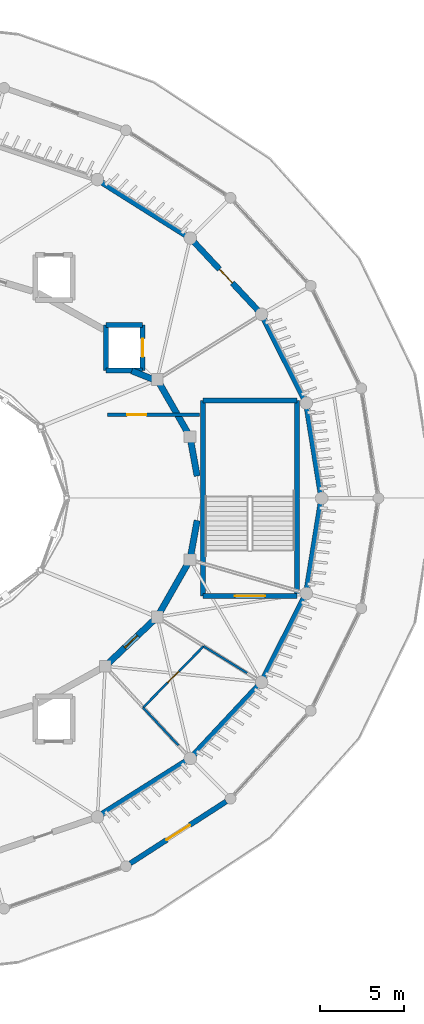
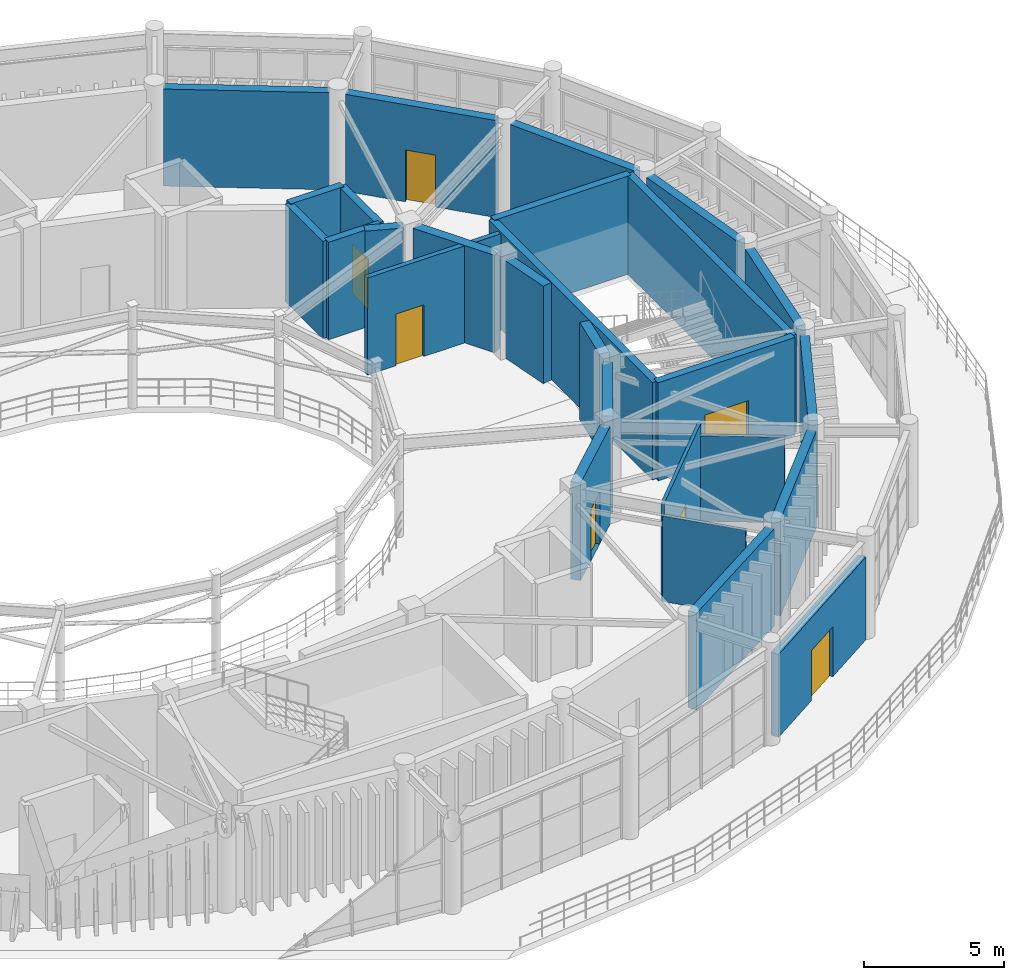
# One storey, part 28 of 45: 27 walls, 7 doors, 7 openings.
"""IFC4 building model written with IfcOpenShell, lengths in metres."""

from ifc_helpers import new_model, si_unit, direction, frame, frame_2d, origin, place, context, subcontext, project, spatial, rectangle, extrude, material, layer, layer_set, type_object, element, fill, save


model = new_model("IFC4")

# Units and contexts
model_context = context("Model", 3, precision=1e-05, world=origin(), true_north=direction((0.0, 1.0)))
body_context = subcontext(model_context, "Body", "Model", "MODEL_VIEW")
ifc_project = project(units=[si_unit("LENGTHUNIT", "METRE"), si_unit("AREAUNIT", "SQUARE_METRE"), si_unit("VOLUMEUNIT", "CUBIC_METRE"), si_unit("PLANEANGLEUNIT", "RADIAN"), si_unit("MASSUNIT", "GRAM", prefix="KILO")], contexts=[model_context])

# Site, building, storey
site_placement = place(None, origin())
site = spatial("IfcSite", under=ifc_project, at=site_placement, CompositionType="ELEMENT")
building_placement = place(site_placement, origin())
building = spatial("IfcBuilding", under=site, at=building_placement, Name="Cinderbank Siding Concert Hall", CompositionType="ELEMENT")
storey_placement = place(building_placement, frame((0.0, 0.0, 19.199951171875)))
storey = spatial("IfcBuildingStorey", under=building, at=storey_placement, Name="L05", CompositionType="ELEMENT", Elevation=19.199951171875)

# Walls
ifc_material_1 = material(Name="Reinforced concrete AS 3600 N50 (50 MPa)", Category="concrete")
ifc_layer_1 = layer(ifc_material_1, 0.3798828125)
ifc_layer_set_1 = layer_set([ifc_layer_1], Name="Reinforced concrete AS 3600 N50 (50 MPa)")
wall_type_1 = type_object("IfcWallType", Name="WL-01 Structural Wall 380mm", PredefinedType="SOLIDWALL", material=ifc_layer_set_1)
wall_1_placement = place(storey_placement, frame((141.358642578125, 45.328125, 0.0), z_axis=(0.0, 0.0, 1.0), x_axis=(-0.178762697271, 0.983892218723, 0.0)))
element("IfcWall", 1, at=wall_1_placement, inside=storey, type_object=wall_type_1, Name="L05 Structural Wall SW-E1-L05-01", PredefinedType="SOLIDWALL", context=body_context, shape_type="SweptSolid", body=[
    extrude(rectangle(XDim=2.1005859375, YDim=0.3798828125, at=frame_2d((1.05029296875, 0.0))), origin(), (0.0, 0.0, 1.0), 4.25),
])
wall_2_placement = place(storey_placement, frame((140.79052734375, 47.922607421875, 0.0), z_axis=(0.0, 0.0, 1.0), x_axis=(-0.496318106012, 0.868140736082, 0.0)))
element("IfcWall", 2, at=wall_2_placement, inside=storey, type_object=wall_type_1, Name="L05 Structural Wall SW-E1-L05-02", PredefinedType="SOLIDWALL", context=body_context, shape_type="SweptSolid", body=[
    extrude(rectangle(XDim=3.375, YDim=0.3798828125, at=frame_2d((1.6875, 0.0))), origin(), (0.0, 0.0, 1.0), 4.25),
])
wall_3_placement = place(storey_placement, frame((138.75, 51.10009765625, 0.0), z_axis=(0.0, 0.0, 1.0), x_axis=(-0.928476690885, 0.371390676354, 0.0)))
element("IfcWall", 3, at=wall_3_placement, inside=storey, type_object=wall_type_1, Name="L05 Structural Wall SW-E1-L05-03", PredefinedType="SOLIDWALL", context=body_context, shape_type="SweptSolid", body=[
    extrude(rectangle(XDim=1.400146484375, YDim=0.3798828125, at=frame_2d((0.7001953125, 0.0))), origin(), (0.0, 0.0, 1.0), 4.25),
])

# Wall, opening, door
wall_4_placement = place(storey_placement, frame((136.06640625, 34.15478515625, 0.0), z_axis=(0.0, 0.0, 1.0), x_axis=(0.727127996206, 0.686501913423, 0.0)))
wall_4 = element("IfcWall", 4, at=wall_4_placement, inside=storey, type_object=wall_type_1, Name="L05 Structural Wall SW-E1-L05-22", PredefinedType="SOLIDWALL", context=body_context, shape_type="SweptSolid", body=[
    extrude(rectangle(XDim=3.7138671875, YDim=0.3798828125, at=frame_2d((1.85693359375, 0.0))), origin(), (0.0, 0.0, 1.0), 4.25),
])
opening_1_placement = place(wall_4_placement, frame((1.326904296875, 0.0, 0.0)))
opening_1 = element("IfcOpeningElement", 5, at=opening_1_placement, cuts=wall_4, Name="Opening D-18", PredefinedType="OPENING", context=body_context, shape_type="SweptSolid", body=[
    extrude(rectangle(XDim=1.06005859375, YDim=2.239990234375, at=frame_2d((0.530029296875, 1.1201171875))), frame((0.0, 0.201904296875, 0.0), z_axis=(0.0, -1.0, 0.0), x_axis=(1.0, 0.0, 0.0)), (0.0, 0.0, 1.0), 0.40380859375),
])
ifc_material_2 = material(Name="Solid-core spotted gum acoustic timber", Category="wood")
door_type_1 = type_object("IfcDoorType", Name="D-18 Interior Door 1060x2240", OperationType="NOTDEFINED", PredefinedType="DOOR", material=ifc_material_2)
door_1_placement = place(opening_1_placement, origin())
door_1 = element("IfcDoor", 6, at=door_1_placement, inside=storey, type_object=door_type_1, Name="L05 Auditorium Sound-Lock Door L05-D178", OperationType="SINGLE_SWING_LEFT", OverallHeight=2.239990234375, OverallWidth=1.06005859375, PredefinedType="DOOR", context=body_context, shape_type="SweptSolid", body=[
    extrude(rectangle(XDim=1.06005859375, YDim=2.239990234375, at=frame_2d((0.530029296875, 1.1201171875))), frame((0.0, 0.02490234375, 0.0), z_axis=(0.0, -1.0, 0.0), x_axis=(1.0, 0.0, 0.0)), (0.0, 0.0, 1.0), 0.050048828125),
])
fill(opening_1, door_1)

# Walls
wall_5_placement = place(storey_placement, frame((139.115478515625, 37.1474609375, 0.0), z_axis=(0.0, 0.0, 1.0), x_axis=(0.496318106012, 0.868140736082, 0.0)))
element("IfcWall", 7, at=wall_5_placement, inside=storey, type_object=wall_type_1, Name="L05 Structural Wall SW-E1-L05-23", PredefinedType="SOLIDWALL", context=body_context, shape_type="SweptSolid", body=[
    extrude(rectangle(XDim=3.375, YDim=0.3798828125, at=frame_2d((1.6875, 0.0))), origin(), (0.0, 0.0, 1.0), 4.25),
])
wall_6_placement = place(storey_placement, frame((140.983154296875, 40.605224609375, 0.0), z_axis=(0.0, 0.0, 1.0), x_axis=(0.178762697271, 0.983892218723, 0.0)))
element("IfcWall", 8, at=wall_6_placement, inside=storey, type_object=wall_type_1, Name="L05 Structural Wall SW-E1-L05-24", PredefinedType="SOLIDWALL", context=body_context, shape_type="SweptSolid", body=[
    extrude(rectangle(XDim=2.1005859375, YDim=0.3798828125, at=frame_2d((1.05029296875, 0.0))), origin(), (0.0, 0.0, 1.0), 4.25),
])
ifc_layer_2 = layer(ifc_material_1, 0.35009765625)
ifc_layer_set_2 = layer_set([ifc_layer_2], Name="Reinforced concrete AS 3600 N50 (50 MPa)")
wall_type_2 = type_object("IfcWallType", Name="WL-02 Structural Wall 350mm", PredefinedType="SHEAR", material=ifc_layer_set_2)
wall_7_placement = place(storey_placement, frame((148.7509765625, 44.30615234375, 0.0), z_axis=(0.0, 0.0, 1.0), x_axis=(-0.158388253677, 0.98737690934, 0.0)))
element("IfcWall", 9, at=wall_7_placement, inside=storey, type_object=wall_type_2, Name="L05 Structural Wall SW-E2-L05-01", PredefinedType="SHEAR", context=body_context, shape_type="SweptSolid", body=[
    extrude(rectangle(XDim=5.146728515625, YDim=0.35009765625, at=frame_2d((2.5732421875, 0.0))), origin(), (0.0, 0.0, 1.0), 4.22998046875),
])
wall_8_placement = place(storey_placement, frame((147.747314453125, 49.970703125, 0.0), z_axis=(0.0, 0.0, 1.0), x_axis=(-0.450512686904, 0.892770025784, 0.0)))
element("IfcWall", 10, at=wall_8_placement, inside=storey, type_object=wall_type_2, Name="L05 Structural Wall SW-E2-L05-02", PredefinedType="SHEAR", context=body_context, shape_type="SweptSolid", body=[
    extrude(rectangle(XDim=5.3232421875, YDim=0.35009765625, at=frame_2d((2.66162109375, 0.0))), origin(), (0.0, 0.0, 1.0), 4.22998046875),
])

# Wall, opening, door
wall_9_placement = place(storey_placement, frame((144.997802734375, 55.2265625, 0.0), z_axis=(0.0, 0.0, 1.0), x_axis=(-0.682886399388, 0.730524582427, 0.0)))
wall_9 = element("IfcWall", 11, at=wall_9_placement, inside=storey, type_object=wall_type_2, Name="L05 Structural Wall SW-E2-L05-03", PredefinedType="SHEAR", context=body_context, shape_type="SweptSolid", body=[
    extrude(rectangle(XDim=5.616943359375, YDim=0.35009765625, at=frame_2d((2.80859375, 0.0))), origin(), (0.0, 0.0, 1.0), 4.22998046875),
])
opening_2_placement = place(wall_9_placement, frame((2.248291015625, 0.0, 0.0)))
opening_2 = element("IfcOpeningElement", 12, at=opening_2_placement, cuts=wall_9, Name="Opening D-19", PredefinedType="OPENING", context=body_context, shape_type="SweptSolid", body=[
    extrude(rectangle(XDim=1.1201171875, YDim=2.260009765625, at=frame_2d((0.56005859375, 1.1298828125))), frame((0.0, 0.18701171875, 0.0), z_axis=(0.0, -1.0, 0.0), x_axis=(1.0, 0.0, 0.0)), (0.0, 0.0, 1.0), 0.3740234375),
])
door_type_2 = type_object("IfcDoorType", Name="D-19 Interior Door 1120x2260", OperationType="NOTDEFINED", PredefinedType="DOOR", material=ifc_material_2)
door_2_placement = place(opening_2_placement, origin())
door_2 = element("IfcDoor", 13, at=door_2_placement, inside=storey, type_object=door_type_2, Name="L05 Auditorium Sound-Lock Door L05-D179", OperationType="SINGLE_SWING_RIGHT", OverallHeight=2.260009765625, OverallWidth=1.1201171875, PredefinedType="DOOR", context=body_context, shape_type="SweptSolid", body=[
    extrude(rectangle(XDim=1.1201171875, YDim=2.260009765625, at=frame_2d((0.56005859375, 1.1298828125))), frame((0.0, 0.02490234375, 0.0), z_axis=(0.0, -1.0, 0.0), x_axis=(1.0, 0.0, 0.0)), (0.0, 0.0, 1.0), 0.050048828125),
])
fill(opening_2, door_2)

# Walls
for number, where, z_axis, x_axis, name in (
    (14, (140.688232421875, 59.721435546875, 0.0), (0.0, 0.0, 1.0), (-0.846113390603, 0.53300293643, 0.0), "L05 Structural Wall SW-E2-L05-04"),
    (15, (135.662353515625, 25.112548828125, 0.0), (0.0, 0.0, 1.0), (0.846113390603, 0.53300293643, 0.0), "L05 Structural Wall SW-E2-L05-21"),
):
    element("IfcWall", number, at=place(storey_placement, frame(where, z_axis=z_axis, x_axis=x_axis)), inside=storey, type_object=wall_type_2, Name=name, PredefinedType="SHEAR", context=body_context, shape_type="SweptSolid", body=[
        extrude(rectangle(XDim=5.93994140625, YDim=0.35009765625, at=frame_2d((2.969970703125, 0.0))), origin(), (0.0, 0.0, 1.0), 4.22998046875),
    ])
wall_10_placement = place(storey_placement, frame((141.162109375, 28.670166015625, 0.0), z_axis=(0.0, 0.0, 1.0), x_axis=(0.682886399388, 0.730524582427, 0.0)))
element("IfcWall", 16, at=wall_10_placement, inside=storey, type_object=wall_type_2, Name="L05 Structural Wall SW-E2-L05-22", PredefinedType="SHEAR", context=body_context, shape_type="SweptSolid", body=[
    extrude(rectangle(XDim=5.616943359375, YDim=0.35009765625, at=frame_2d((2.80859375, 0.0))), origin(), (0.0, 0.0, 1.0), 4.22998046875),
])
wall_11_placement = place(storey_placement, frame((145.34912109375, 33.27685546875, 0.0), z_axis=(0.0, 0.0, 1.0), x_axis=(0.450512686904, 0.892770025784, 0.0)))
element("IfcWall", 17, at=wall_11_placement, inside=storey, type_object=wall_type_2, Name="L05 Structural Wall SW-E2-L05-23", PredefinedType="SHEAR", context=body_context, shape_type="SweptSolid", body=[
    extrude(rectangle(XDim=5.3232421875, YDim=0.35009765625, at=frame_2d((2.66162109375, 0.0))), origin(), (0.0, 0.0, 1.0), 4.22998046875),
])
wall_12_placement = place(storey_placement, frame((147.935791015625, 38.612060546875, 0.0), z_axis=(0.0, 0.0, 1.0), x_axis=(0.158388253677, 0.98737690934, 0.0)))
element("IfcWall", 18, at=wall_12_placement, inside=storey, type_object=wall_type_2, Name="L05 Structural Wall SW-E2-L05-24", PredefinedType="SHEAR", context=body_context, shape_type="SweptSolid", body=[
    extrude(rectangle(XDim=5.146728515625, YDim=0.35009765625, at=frame_2d((2.5732421875, 0.0))), origin(), (0.0, 0.0, 1.0), 4.22998046875),
])

# Wall, opening, door
ifc_layer_3 = layer(ifc_material_1, 0.300048828125)
ifc_layer_set_3 = layer_set([ifc_layer_3], Name="Reinforced concrete AS 3600 N50 (50 MPa)")
wall_type_3 = type_object("IfcWallType", Name="WL-03 Structural Wall 300mm", PredefinedType="SHEAR", material=ifc_layer_set_3)
wall_13_placement = place(storey_placement, frame((147.340087890625, 38.159912109375, 0.0), z_axis=(0.0, 0.0, 1.0), x_axis=(-1.0, 0.0, 0.0)))
wall_13 = element("IfcWall", 19, at=wall_13_placement, inside=storey, type_object=wall_type_3, Name="L05 ST-03 Core Wall ENTRY", PredefinedType="SHEAR", context=body_context, shape_type="SweptSolid", body=[
    extrude(rectangle(XDim=5.64013671875, YDim=0.300048828125, at=frame_2d((2.820068359375, 0.0))), origin(), (0.0, 0.0, 1.0), 4.280029296875),
])
opening_3_placement = place(wall_13_placement, frame((1.919921875, 0.0, 0.0)))
opening_3 = element("IfcOpeningElement", 20, at=opening_3_placement, cuts=wall_13, Name="Opening D-05", PredefinedType="OPENING", context=body_context, shape_type="SweptSolid", body=[
    extrude(rectangle(XDim=1.800048828125, YDim=2.199951171875, at=frame_2d((0.89990234375, 1.10009765625))), frame((0.0, 0.162109375, 0.0), z_axis=(0.0, -1.0, 0.0), x_axis=(1.0, 0.0, 0.0)), (0.0, 0.0, 1.0), 0.323974609375),
])
ifc_material_3 = material(Name="Galvanised sheet steel acoustic fire door assembly", Category="steel")
door_type_3 = type_object("IfcDoorType", Name="D-05 Interior Door 1800x2200", OperationType="DOUBLE_DOOR_SINGLE_SWING", PredefinedType="DOOR", material=ifc_material_3)
door_3_placement = place(opening_3_placement, origin())
door_3 = element("IfcDoor", 21, at=door_3_placement, inside=storey, type_object=door_type_3, Name="L05 ST-03 Fire Stair Door L05-D020", OperationType="DOUBLE_DOOR_SINGLE_SWING", OverallHeight=2.199951171875, OverallWidth=1.800048828125, PredefinedType="DOOR", context=body_context, shape_type="SweptSolid", body=[
    extrude(rectangle(XDim=1.800048828125, YDim=2.199951171875, at=frame_2d((0.89990234375, 1.10009765625))), frame((0.0, 0.02490234375, 0.0), z_axis=(0.0, -1.0, 0.0), x_axis=(1.0, 0.0, 0.0)), (0.0, 0.0, 1.0), 0.050048828125),
])
fill(opening_3, door_3)

# Walls
wall_14_placement = place(storey_placement, frame((141.699951171875, 49.840087890625, 0.0), z_axis=(0.0, 0.0, 1.0), x_axis=(1.0, 0.0, 0.0)))
element("IfcWall", 22, at=wall_14_placement, inside=storey, type_object=wall_type_3, Name="L05 ST-03 Core Wall FAR", PredefinedType="SHEAR", context=body_context, shape_type="SweptSolid", body=[
    extrude(rectangle(XDim=5.64013671875, YDim=0.300048828125, at=frame_2d((2.820068359375, 0.0))), origin(), (0.0, 0.0, 1.0), 4.280029296875),
])
wall_15_placement = place(storey_placement, frame((147.340087890625, 49.840087890625, 0.0), z_axis=(0.0, 0.0, 1.0), x_axis=(0.0, -1.0, 0.0)))
element("IfcWall", 23, at=wall_15_placement, inside=storey, type_object=wall_type_3, Name="L05 ST-03 Core Wall SIDE1", PredefinedType="SHEAR", context=body_context, shape_type="SweptSolid", body=[
    extrude(rectangle(XDim=11.68017578125, YDim=0.300048828125, at=frame_2d((5.840087890625, 0.0))), origin(), (0.0, 0.0, 1.0), 4.280029296875),
])
wall_16_placement = place(storey_placement, frame((141.699951171875, 38.159912109375, 0.0), z_axis=(0.0, 0.0, 1.0), x_axis=(0.0, 1.0, 0.0)))
element("IfcWall", 24, at=wall_16_placement, inside=storey, type_object=wall_type_3, Name="L05 ST-03 Core Wall SIDE2", PredefinedType="SHEAR", context=body_context, shape_type="SweptSolid", body=[
    extrude(rectangle(XDim=11.68017578125, YDim=0.300048828125, at=frame_2d((5.840087890625, 0.0))), origin(), (0.0, 0.0, 1.0), 4.25),
])
wall_17_placement = place(storey_placement, frame((138.10009765625, 51.64990234375, 0.0), z_axis=(0.0, 0.0, 1.0), x_axis=(-1.0, 0.0, 0.0)))
element("IfcWall", 25, at=wall_17_placement, inside=storey, type_object=wall_type_3, Name="L05 LF-03 Shaft Wall -Y", PredefinedType="SHEAR", context=body_context, shape_type="SweptSolid", body=[
    extrude(rectangle(XDim=2.2001953125, YDim=0.300048828125, at=frame_2d((1.10009765625, 0.0))), origin(), (0.0, 0.0, 1.0), 4.25),
])

# Wall, opening, door
wall_18_placement = place(storey_placement, frame((138.10009765625, 54.35009765625, 0.0), z_axis=(0.0, 0.0, 1.0), x_axis=(0.0, -1.0, 0.0)))
wall_18 = element("IfcWall", 26, at=wall_18_placement, inside=storey, type_object=wall_type_3, Name="L05 LF-03 Shaft Wall +X", PredefinedType="SHEAR", context=body_context, shape_type="SweptSolid", body=[
    extrude(rectangle(XDim=2.7001953125, YDim=0.300048828125, at=frame_2d((1.35009765625, 0.0))), origin(), (0.0, 0.0, 1.0), 4.25),
])
opening_4_placement = place(wall_18_placement, frame((0.800048828125, 0.0, 0.0)))
opening_4 = element("IfcOpeningElement", 27, at=opening_4_placement, cuts=wall_18, Name="Opening LD-01", PredefinedType="OPENING", context=body_context, shape_type="SweptSolid", body=[
    extrude(rectangle(XDim=1.10009765625, YDim=2.14990234375, at=frame_2d((0.550048828125, 1.074951171875))), frame((0.0, 0.162109375, 0.0), z_axis=(0.0, -1.0, 0.0), x_axis=(1.0, 0.0, 0.0)), (0.0, 0.0, 1.0), 0.323974609375),
])
door_type_4 = type_object("IfcDoorType", Name="LD-01 Interior Door 1100x2150", OperationType="DOUBLE_DOOR_SLIDING", PredefinedType="DOOR", material=ifc_material_3)
door_4_placement = place(opening_4_placement, origin())
door_4 = element("IfcDoor", 28, at=door_4_placement, inside=storey, type_object=door_type_4, Name="L05 LF-03 Sliding Landing Door", OperationType="DOUBLE_DOOR_SLIDING", OverallHeight=2.14990234375, OverallWidth=1.10009765625, PredefinedType="DOOR", context=body_context, shape_type="SweptSolid", body=[
    extrude(rectangle(XDim=1.10009765625, YDim=2.14990234375, at=frame_2d((0.550048828125, 1.074951171875))), frame((0.0, 0.02490234375, 0.0), z_axis=(0.0, -1.0, 0.0), x_axis=(1.0, 0.0, 0.0)), (0.0, 0.0, 1.0), 0.050048828125),
])
fill(opening_4, door_4)

# Walls
wall_19_placement = place(storey_placement, frame((135.89990234375, 54.35009765625, 0.0), z_axis=(0.0, 0.0, 1.0), x_axis=(1.0, 0.0, 0.0)))
element("IfcWall", 29, at=wall_19_placement, inside=storey, type_object=wall_type_3, Name="L05 LF-03 Shaft Wall +Y", PredefinedType="SHEAR", context=body_context, shape_type="SweptSolid", body=[
    extrude(rectangle(XDim=2.2001953125, YDim=0.300048828125, at=frame_2d((1.10009765625, 0.0))), origin(), (0.0, 0.0, 1.0), 4.280029296875),
])
wall_20_placement = place(storey_placement, frame((135.89990234375, 51.64990234375, 0.0), z_axis=(0.0, 0.0, 1.0), x_axis=(0.0, 1.0, 0.0)))
element("IfcWall", 30, at=wall_20_placement, inside=storey, type_object=wall_type_3, Name="L05 LF-03 Shaft Wall -X", PredefinedType="SHEAR", context=body_context, shape_type="SweptSolid", body=[
    extrude(rectangle(XDim=2.7001953125, YDim=0.300048828125, at=frame_2d((1.35009765625, 0.0))), origin(), (0.0, 0.0, 1.0), 4.25),
])

# Wall, opening, door
ifc_material_4 = material(Name="Clinker clay brickwork masonry AS 3700 (20 MPa)", Category="masonry")
ifc_layer_4 = layer(ifc_material_4, 0.31005859375)
ifc_layer_set_4 = layer_set([ifc_layer_4], Name="Clinker clay brickwork masonry AS 3700 (20 MPa)")
wall_type_4 = type_object("IfcWallType", Name="WL-08 Exterior Wall 310mm", PredefinedType="STANDARD", material=ifc_layer_set_4)
wall_21_placement = place(storey_placement, frame((143.093994140625, 25.871337890625, 0.0), z_axis=(0.0, 0.0, 1.0), x_axis=(-0.840214619577, -0.542253993115, 0.0)))
wall_21 = element("IfcWall", 31, at=wall_21_placement, inside=storey, type_object=wall_type_4, Name="L05 Facade Wall EW-E3-L05-21", PredefinedType="STANDARD", context=body_context, shape_type="SweptSolid", body=[
    extrude(rectangle(XDim=6.82373046875, YDim=0.31005859375, at=frame_2d((3.411865234375, 0.0))), origin(), (0.0, 0.0, 1.0), 3.610107421875),
])
opening_5_placement = place(wall_21_placement, frame((2.5869140625, 0.0, 0.0)))
opening_5 = element("IfcOpeningElement", 32, at=opening_5_placement, cuts=wall_21, Name="Opening TD-03", PredefinedType="OPENING", context=body_context, shape_type="SweptSolid", body=[
    extrude(rectangle(XDim=1.64990234375, YDim=2.179931640625, at=frame_2d((0.824951171875, 1.08984375))), frame((0.0, 0.1669921875, 0.0), z_axis=(0.0, -1.0, 0.0), x_axis=(1.0, 0.0, 0.0)), (0.0, 0.0, 1.0), 0.333984375),
])
door_type_5 = type_object("IfcDoorType", Name="TD-03 Exterior Door 1650x2180", OperationType="DOUBLE_DOOR_SINGLE_SWING", PredefinedType="DOOR", material=ifc_material_2)
door_5_placement = place(opening_5_placement, origin())
door_5 = element("IfcDoor", 33, at=door_5_placement, inside=storey, type_object=door_type_5, Name="L05 Foyer Terrace Door S21", OperationType="DOUBLE_DOOR_SINGLE_SWING", OverallHeight=2.179931640625, OverallWidth=1.64990234375, PredefinedType="DOOR", context=body_context, shape_type="SweptSolid", body=[
    extrude(rectangle(XDim=1.64990234375, YDim=2.179931640625, at=frame_2d((0.824951171875, 1.08984375))), frame((0.0, 0.02490234375, 0.0), z_axis=(0.0, -1.0, 0.0), x_axis=(1.0, 0.0, 0.0)), (0.0, 0.0, 1.0), 0.050048828125),
])
fill(opening_5, door_5)

ifc_material_5 = material(Name="Acoustic plasterboard on light-gauge steel studs", Category="gypsum")
ifc_layer_5 = layer(ifc_material_5, 0.199951171875)
ifc_layer_set_5 = layer_set([ifc_layer_5], Name="Acoustic plasterboard on light-gauge steel studs")
wall_type_5 = type_object("IfcWallType", Name="WL-12 Interior Wall 200mm", PredefinedType="PARTITIONING", material=ifc_layer_set_5)
wall_22_placement = place(storey_placement, frame((136.0, 49.0, 0.0), z_axis=(0.0, 0.0, 1.0), x_axis=(1.0, 0.0, 0.0)))
wall_22 = element("IfcWall", 34, at=wall_22_placement, inside=storey, type_object=wall_type_5, Name="L05 Partition Broadcast Mastering", PredefinedType="PARTITIONING", context=body_context, shape_type="SweptSolid", body=[
    extrude(rectangle(XDim=5.5, YDim=0.199951171875, at=frame_2d((2.75, 0.0))), origin(), (0.0, 0.0, 1.0), 4.235107421875),
])
opening_6_placement = place(wall_22_placement, frame((1.175048828125, 0.0, 0.0)))
opening_6 = element("IfcOpeningElement", 35, at=opening_6_placement, cuts=wall_22, Name="Opening D-11", PredefinedType="OPENING", context=body_context, shape_type="SweptSolid", body=[
    extrude(rectangle(XDim=1.14990234375, YDim=2.25, at=frame_2d((0.574951171875, 1.125))), frame((0.0, 0.11181640625, 0.0), z_axis=(0.0, -1.0, 0.0), x_axis=(1.0, 0.0, 0.0)), (0.0, 0.0, 1.0), 0.223876953125),
])
door_type_6 = type_object("IfcDoorType", Name="D-11 Interior Door 1150x2250", OperationType="NOTDEFINED", PredefinedType="DOOR", material=ifc_material_2)
door_6_placement = place(opening_6_placement, origin())
door_6 = element("IfcDoor", 36, at=door_6_placement, inside=storey, type_object=door_type_6, Name="L05 Broadcast Mastering Door L05-D288", OperationType="SINGLE_SWING_RIGHT", OverallHeight=2.25, OverallWidth=1.14990234375, PredefinedType="DOOR", context=body_context, shape_type="SweptSolid", body=[
    extrude(rectangle(XDim=1.14990234375, YDim=2.25, at=frame_2d((0.574951171875, 1.125))), frame((0.0, 0.02490234375, 0.0), z_axis=(0.0, -1.0, 0.0), x_axis=(1.0, 0.0, 0.0)), (0.0, 0.0, 1.0), 0.050048828125),
])
fill(opening_6, door_6)

# Walls
ifc_layer_6 = layer(ifc_material_5, 0.1298828125)
ifc_layer_set_6 = layer_set([ifc_layer_6], Name="Acoustic plasterboard on light-gauge steel studs")
wall_type_6 = type_object("IfcWallType", Name="WL-17 Interior Wall 130mm", PredefinedType="PARTITIONING", material=ifc_layer_set_6)
wall_23_placement = place(storey_placement, frame((138.1220703125, 31.484130859375, 0.0), z_axis=(0.0, 0.0, 1.0), x_axis=(0.683951602278, -0.72952738519, 0.0)))
element("IfcWall", 37, at=wall_23_placement, inside=storey, type_object=wall_type_6, Name="L05 WC Radial Demising Wall R22", PredefinedType="PARTITIONING", context=body_context, shape_type="SweptSolid", body=[
    extrude(rectangle(XDim=3.1015625, YDim=0.1298828125, at=frame_2d((1.55078125, 0.0))), origin(), (0.0, 0.0, 1.0), 3.734130859375),
])
wall_24_placement = place(storey_placement, frame((141.745361328125, 35.14990234375, 0.0), z_axis=(0.0, 0.0, 1.0), x_axis=(0.85151267833, -0.524334014386, 0.0)))
element("IfcWall", 38, at=wall_24_placement, inside=storey, type_object=wall_type_6, Name="L05 WC Radial Demising Wall R23", PredefinedType="PARTITIONING", context=body_context, shape_type="SweptSolid", body=[
    extrude(rectangle(XDim=3.05126953125, YDim=0.1298828125, at=frame_2d((1.525634765625, 0.0))), origin(), (0.0, 0.0, 1.0), 3.734130859375),
])

# Wall, opening, door
wall_25_placement = place(storey_placement, frame((138.1220703125, 31.484130859375, 0.0), z_axis=(0.0, 0.0, 1.0), x_axis=(0.702973842803, 0.711215703099, 0.0)))
wall_25 = element("IfcWall", 39, at=wall_25_placement, inside=storey, type_object=wall_type_6, Name="L05 Partition L05 Accessible WC", PredefinedType="PARTITIONING", context=body_context, shape_type="SweptSolid", body=[
    extrude(rectangle(XDim=5.154296875, YDim=0.1298828125, at=frame_2d((2.5771484375, 0.0))), origin(), (0.0, 0.0, 1.0), 4.26513671875),
])
opening_7_placement = place(wall_25_placement, frame((2.102294921875, 0.0, 0.0)))
opening_7 = element("IfcOpeningElement", 40, at=opening_7_placement, cuts=wall_25, Name="Opening D-01", PredefinedType="OPENING", context=body_context, shape_type="SweptSolid", body=[
    extrude(rectangle(XDim=0.949951171875, YDim=2.14990234375, at=frame_2d((0.47509765625, 1.074951171875))), frame((0.0, 0.076904296875, 0.0), z_axis=(0.0, -1.0, 0.0), x_axis=(1.0, 0.0, 0.0)), (0.0, 0.0, 1.0), 0.15380859375),
])
door_type_7 = type_object("IfcDoorType", Name="D-01 Interior Door 950x2150", OperationType="NOTDEFINED", PredefinedType="DOOR", material=ifc_material_2)
door_7_placement = place(opening_7_placement, origin())
door_7 = element("IfcDoor", 41, at=door_7_placement, inside=storey, type_object=door_type_7, Name="L05 L05 Accessible WC Door L05-D287", OperationType="SINGLE_SWING_LEFT", OverallHeight=2.14990234375, OverallWidth=0.949951171875, PredefinedType="DOOR", context=body_context, shape_type="SweptSolid", body=[
    extrude(rectangle(XDim=0.949951171875, YDim=2.14990234375, at=frame_2d((0.47509765625, 1.074951171875))), frame((0.0, 0.02490234375, 0.0), z_axis=(0.0, -1.0, 0.0), x_axis=(1.0, 0.0, 0.0)), (0.0, 0.0, 1.0), 0.050048828125),
])
fill(opening_7, door_7)

save(model, "model.ifc")
